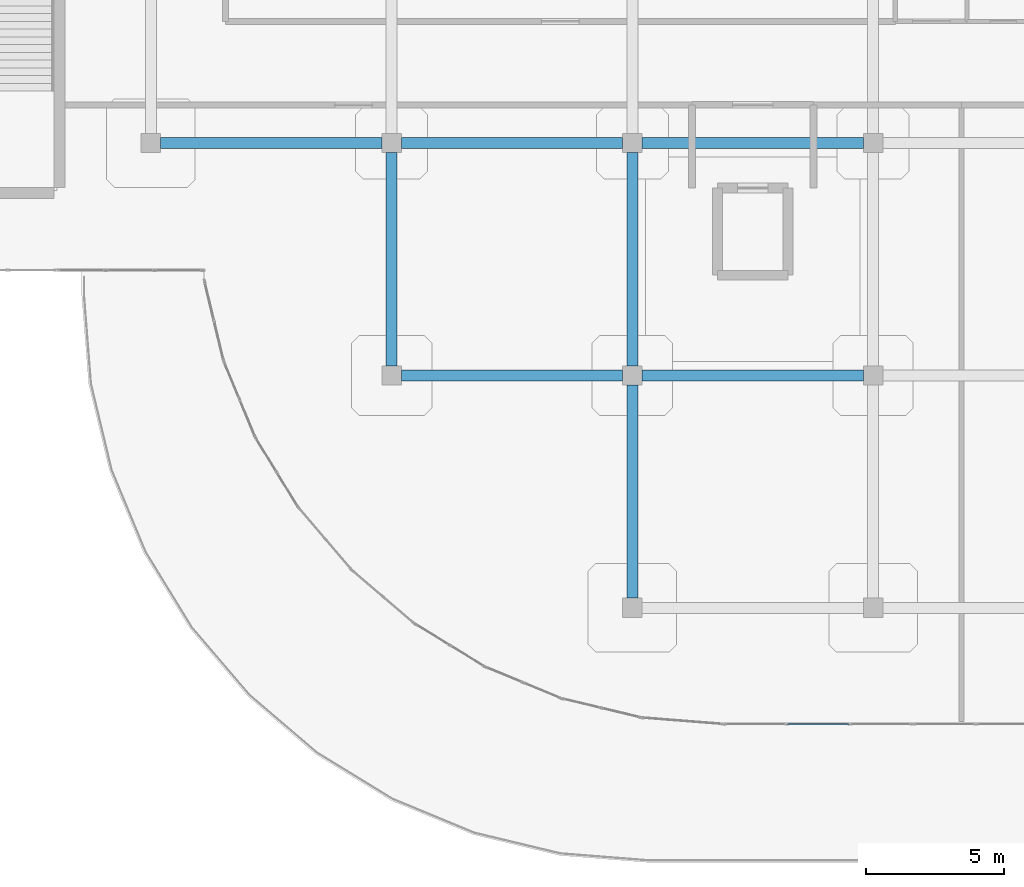
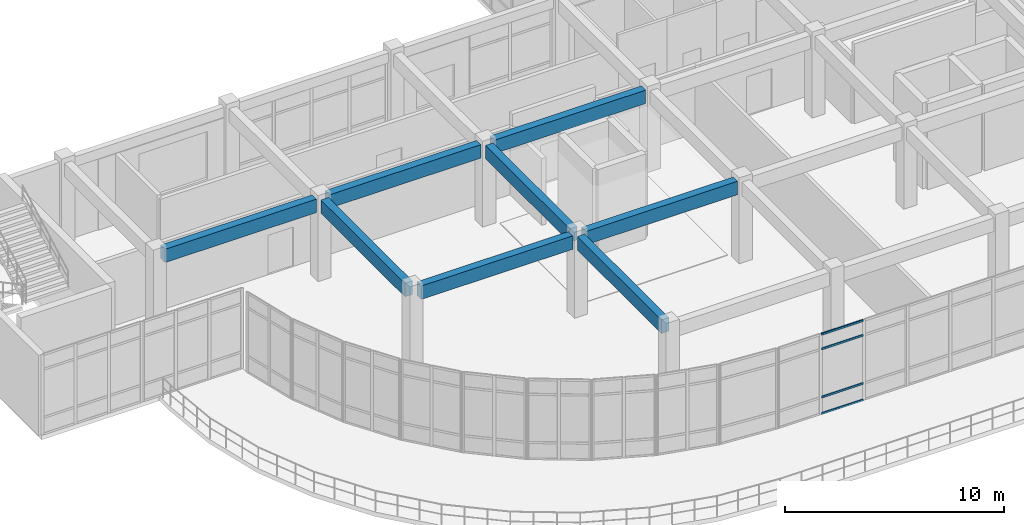
# One storey, part 6 of 76: 8 beams, 4 members, 1 element without a shape of its own.
"""IFC4 building model written with IfcOpenShell, lengths in metres."""

from ifc_helpers import new_model, si_unit, derived_unit, direction, frame, origin, origin_2d, place, context, subcontext, project, spatial, rectangle, hollow_rectangle, extrude, material, layer, layer_set, material_profile, profile_set, type_object, element, aggregate, save


model = new_model("IFC4")

# Units and contexts
model_context = context("Model", 3, precision=1e-05, world=origin(), true_north=direction((0.0, 1.0)))
body_context = subcontext(model_context, "Body", "Model", "MODEL_VIEW")
ifc_project = project(units=[si_unit("LENGTHUNIT", "METRE"), si_unit("AREAUNIT", "SQUARE_METRE"), si_unit("VOLUMEUNIT", "CUBIC_METRE"), si_unit("PLANEANGLEUNIT", "RADIAN"), si_unit("MASSUNIT", "GRAM", prefix="KILO"), derived_unit("THERMALTRANSMITTANCEUNIT", [(si_unit("MASSUNIT", "GRAM", prefix="KILO"), 1), (si_unit("TIMEUNIT", "SECOND"), -3), (si_unit("THERMODYNAMICTEMPERATUREUNIT", "KELVIN"), -1)])], contexts=[model_context])

# Site, building, storey
site_placement = place(None, origin())
site = spatial("IfcSite", under=ifc_project, at=site_placement, CompositionType="ELEMENT")
building_placement = place(site_placement, origin())
building = spatial("IfcBuilding", under=site, at=building_placement, Name="Qinzheling Arcade Emporium", CompositionType="ELEMENT")
storey_placement = place(building_placement, frame((0.0, 0.0, 26.699951171875)))
storey = spatial("IfcBuildingStorey", under=building, at=storey_placement, Name="L06", CompositionType="ELEMENT", Elevation=26.699951171875)

# Curtain wall, members
ifc_material_1 = material(Name="Anodised aluminium and solar-control double glazing", Category="aluminium")
ifc_layer = layer(ifc_material_1, 0.159912109375, Name="Anodised aluminium and solar-control double glazing", Category="aluminium")
ifc_layer_set = layer_set([ifc_layer], Name="Anodised aluminium and solar-control double glazing")
curtain_wall_type = type_object("IfcCurtainWallType", Name="Arcade Portal Glazed Curtain Wall", PredefinedType="NOTDEFINED", material=ifc_layer_set)
curtain_wall_placement = place(storey_placement, origin())
curtain_wall = element("IfcCurtainWall", 1, at=curtain_wall_placement, inside=storey, type_object=curtain_wall_type, Name="Curtain Wall CW-L06-349", PredefinedType="NOTDEFINED")
ifc_material_2 = material(Name="Anodised aluminium 6063-T6", Category="aluminium")
ifc_material_profile_1 = material_profile(ifc_material_2, hollow_rectangle(XDim=0.06005859375, YDim=0.1201171875, WallThickness=0.00390625, InnerFilletRadius=0.00390625, OuterFilletRadius=0.008056640625, at=origin_2d()), Name="RHS 120x60x4", Category="aluminium")
ifc_profile_set_1 = profile_set([ifc_material_profile_1], Name="Anodised aluminium 6063-T6")
member_type = type_object("IfcMemberType", Name="Curtain Wall Transom RHS120x60", PredefinedType="USERDEFINED", material=ifc_profile_set_1)
member_1_placement = place(storey_placement, frame((33.9287109375, 12.60009765625, 0.030029296875), z_axis=(-1.0, 0.0, 0.0), x_axis=(0.0, -1.0, 0.0)))
member_1 = element("IfcMember", 2, at=member_1_placement, type_object=member_type, Name="CW05 transom 2.1", ObjectType="TRANSOM", PredefinedType="USERDEFINED", context=body_context, shape_type="SweptSolid", body=[
    extrude(hollow_rectangle(XDim=0.06005859375, YDim=0.1201171875, WallThickness=0.00390625, InnerFilletRadius=0.00390625, OuterFilletRadius=0.008056640625, at=origin_2d()), origin(), (0.0, 0.0, 1.0), 2.219482421875),
])
member_2_placement = place(storey_placement, frame((33.9287109375, 12.60009765625, 0.949951171875), z_axis=(-1.0, 0.0, 0.0), x_axis=(0.0, -1.0, 0.0)))
member_2 = element("IfcMember", 3, at=member_2_placement, type_object=member_type, Name="CW05 transom 2.2", ObjectType="TRANSOM", PredefinedType="USERDEFINED", context=body_context, shape_type="SweptSolid", body=[
    extrude(hollow_rectangle(XDim=0.06005859375, YDim=0.1201171875, WallThickness=0.00390625, InnerFilletRadius=0.00390625, OuterFilletRadius=0.008056640625, at=origin_2d()), origin(), (0.0, 0.0, 1.0), 2.219482421875),
])
member_3_placement = place(storey_placement, frame((33.9287109375, 12.60009765625, 3.64013671875), z_axis=(-1.0, 0.0, 0.0), x_axis=(0.0, -1.0, 0.0)))
member_3 = element("IfcMember", 4, at=member_3_placement, type_object=member_type, Name="CW05 transom 2.3", ObjectType="TRANSOM", PredefinedType="USERDEFINED", context=body_context, shape_type="SweptSolid", body=[
    extrude(hollow_rectangle(XDim=0.06005859375, YDim=0.1201171875, WallThickness=0.00390625, InnerFilletRadius=0.00390625, OuterFilletRadius=0.008056640625, at=origin_2d()), origin(), (0.0, 0.0, 1.0), 2.219482421875),
])
member_4_placement = place(storey_placement, frame((33.9287109375, 12.60009765625, 4.4599609375), z_axis=(-1.0, 0.0, 0.0), x_axis=(0.0, -1.0, 0.0)))
member_4 = element("IfcMember", 5, at=member_4_placement, type_object=member_type, Name="CW05 transom 2.4", ObjectType="TRANSOM", PredefinedType="USERDEFINED", context=body_context, shape_type="SweptSolid", body=[
    extrude(hollow_rectangle(XDim=0.06005859375, YDim=0.1201171875, WallThickness=0.00390625, InnerFilletRadius=0.00390625, OuterFilletRadius=0.008056640625, at=origin_2d()), origin(), (0.0, 0.0, 1.0), 2.219482421875),
])
aggregate(curtain_wall, [member_1, member_2, member_3, member_4])

# Beams
ifc_material_3 = material(Name="Concrete C40", Category="concrete")
ifc_material_profile_2 = material_profile(ifc_material_3, rectangle(XDim=0.39990234375, YDim=0.75, at=origin_2d()), Name="RC 400x750", Category="concrete")
ifc_profile_set_2 = profile_set([ifc_material_profile_2], Name="Concrete C40")
beam_type = type_object("IfcBeamType", Name="RC Interior Tie Beam 400x750 C40", PredefinedType="BEAM", material=ifc_profile_set_2)
for number, where, z_axis, x_axis, name in (
    (6, (17.75, 25.199951171875, 4.14501953125), (1.0, 0.0, 0.0), (0.0, 1.0, 0.0), "Beam BM-L06-X-D-3"),
    (7, (26.449951171875, 25.199951171875, 4.14501953125), (1.0, 0.0, 0.0), (0.0, 1.0, 0.0), "Beam BM-L06-X-D-4"),
    (8, (9.050048828125, 33.60009765625, 4.14501953125), (1.0, 0.0, 0.0), (0.0, 1.0, 0.0), "Beam BM-L06-X-E-2"),
    (9, (17.75, 33.60009765625, 4.14501953125), (1.0, 0.0, 0.0), (0.0, 1.0, 0.0), "Beam BM-L06-X-E-3"),
    (10, (26.449951171875, 33.60009765625, 4.14501953125), (1.0, 0.0, 0.0), (0.0, 1.0, 0.0), "Beam BM-L06-X-E-4"),
):
    element("IfcBeam", number, at=place(storey_placement, frame(where, z_axis=z_axis, x_axis=x_axis)), inside=storey, type_object=beam_type, Name=name, PredefinedType="BEAM", context=body_context, shape_type="SweptSolid", body=[
        extrude(rectangle(XDim=0.39990234375, YDim=0.75, at=origin_2d()), origin(), (0.0, 0.0, 1.0), 8.0),
    ])
beam_1_placement = place(storey_placement, frame((17.39990234375, 25.550048828125, 4.14501953125), z_axis=(0.0, 1.0, 0.0), x_axis=(-1.0, 0.0, 0.0)))
element("IfcBeam", 11, at=beam_1_placement, inside=storey, type_object=beam_type, Name="Beam BM-L06-Y-3-D", PredefinedType="BEAM", context=body_context, shape_type="SweptSolid", body=[
    extrude(rectangle(XDim=0.39990234375, YDim=0.75, at=origin_2d()), origin(), (0.0, 0.0, 1.0), 7.699951171875),
])
beam_2_placement = place(storey_placement, frame((26.10009765625, 17.14990234375, 4.14501953125), z_axis=(0.0, 1.0, 0.0), x_axis=(-1.0, 0.0, 0.0)))
element("IfcBeam", 12, at=beam_2_placement, inside=storey, type_object=beam_type, Name="Beam BM-L06-Y-4-C", PredefinedType="BEAM", context=body_context, shape_type="SweptSolid", body=[
    extrude(rectangle(XDim=0.39990234375, YDim=0.75, at=origin_2d()), origin(), (0.0, 0.0, 1.0), 7.7001953125),
])
beam_3_placement = place(storey_placement, frame((26.10009765625, 25.550048828125, 4.14501953125), z_axis=(0.0, 1.0, 0.0), x_axis=(-1.0, 0.0, 0.0)))
element("IfcBeam", 13, at=beam_3_placement, inside=storey, type_object=beam_type, Name="Beam BM-L06-Y-4-D", PredefinedType="BEAM", context=body_context, shape_type="SweptSolid", body=[
    extrude(rectangle(XDim=0.39990234375, YDim=0.75, at=origin_2d()), origin(), (0.0, 0.0, 1.0), 7.699951171875),
])

save(model, "model.ifc")
